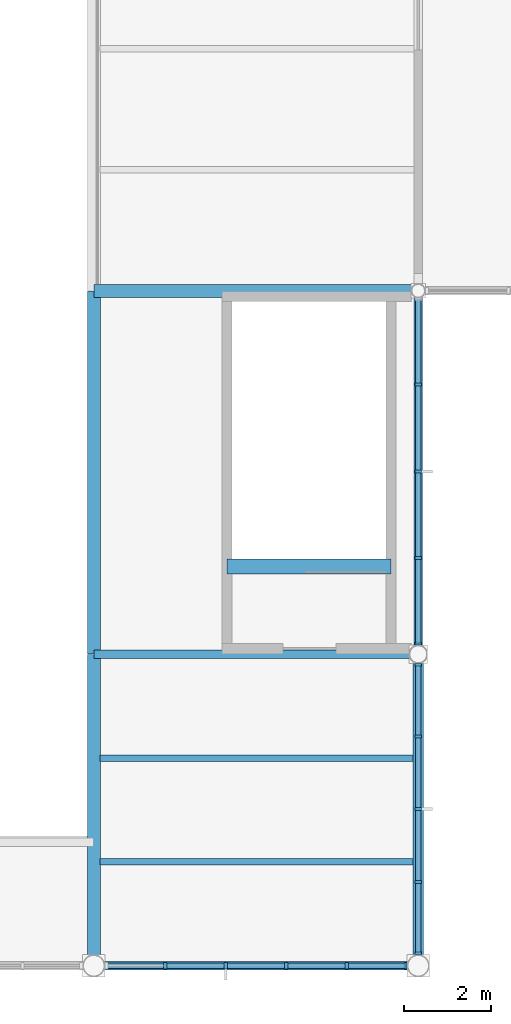
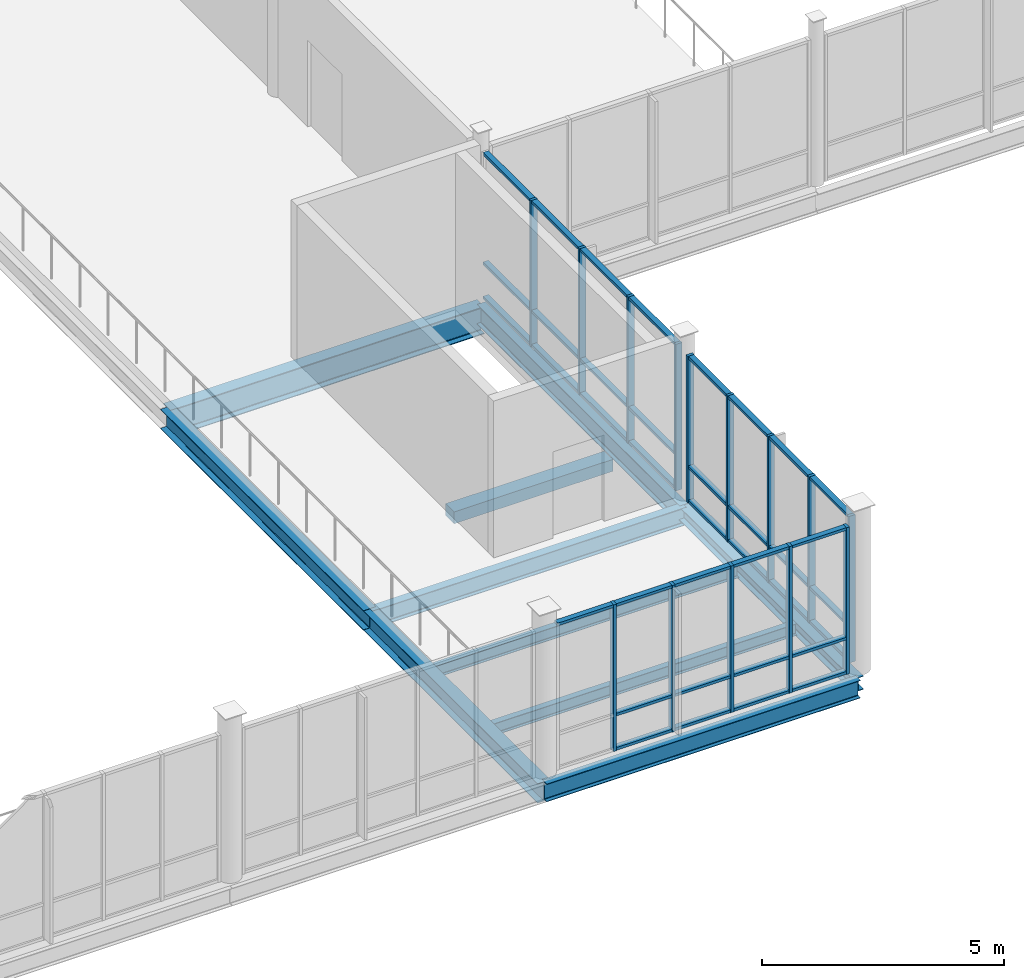
# One storey, part 21 of 75: 51 members, 10 beams, 3 elements without a shape of their own.
"""IFC4 building model written with IfcOpenShell, lengths in metres."""

import ifcopenshell
import ifcopenshell.guid

model = None  # the IFC model being written
_history = None  # IfcOwnerHistory: only IFC2X3 demands one
_inside = {}  # id of a spatial element -> (the spatial element, [elements in it])
_under = {}  # id of a project, library or spatial element -> (it, [spatial elements below it])
_declared = {}  # id of a project -> (the project, [libraries it declares])
_typed = {}  # id of a type object -> (the type object, [elements of that type])
_made_of = {}  # id of a material, layer set ... -> (it, [elements and type objects made of it])


def new_model(schema):
    """Start an empty IFC model of exactly this schema.

    Asked for "IFC4X3", IfcOpenShell would pick the latest addendum, in which some entities
    have other attributes; the version numbers below select the first issue.
    IFC2X3 requires an IfcOwnerHistory on every rooted entity: one is made here for all.
    """
    global model, _history
    if schema == "IFC4X3":
        model = ifcopenshell.file(schema_version=(4, 3, 0, 0))
    else:
        model = ifcopenshell.file(schema=schema)
    _inside.clear()
    _under.clear()
    _declared.clear()
    _typed.clear()
    _made_of.clear()
    _history = None
    if model.schema == "IFC2X3":
        org = make("IfcOrganization", Name="unknown")
        user = make(
            "IfcPersonAndOrganization",
            ThePerson=make("IfcPerson", FamilyName="unknown"),
            TheOrganization=org,
        )
        app = make(
            "IfcApplication",
            ApplicationDeveloper=org,
            Version="unknown",
            ApplicationFullName="unknown",
            ApplicationIdentifier="unknown",
        )
        _history = make(
            "IfcOwnerHistory",
            OwningUser=user,
            OwningApplication=app,
            ChangeAction="ADDED",
            CreationDate=0,
        )
    return model


def make(cls, **values):
    """One entity of the class cls with the attributes given. An attribute that is None is left unset."""
    return model.create_entity(
        cls, **{name: value for name, value in values.items() if value is not None}
    )


def rooted(cls, **values):
    """An entity with a GlobalId (a new one), such as an element, a storey or a relation."""
    return make(cls, GlobalId=ifcopenshell.guid.new(), OwnerHistory=_history, **values)


def si_unit(unit_type, name, prefix=None):
    """IfcSIUnit, for example si_unit("LENGTHUNIT", "METRE", prefix="MILLI")."""
    return make("IfcSIUnit", UnitType=unit_type, Prefix=prefix, Name=name)


def assignment(units):
    """IfcUnitAssignment: the units of a project."""
    return None if units is None else make("IfcUnitAssignment", Units=units)


def point(xyz):
    """IfcCartesianPoint."""
    return None if xyz is None else make("IfcCartesianPoint", Coordinates=xyz)


def direction(xyz):
    """IfcDirection."""
    return None if xyz is None else make("IfcDirection", DirectionRatios=xyz)


def frame(location, z_axis=None, x_axis=None):
    """IfcAxis2Placement3D, a coordinate frame: its origin and axes. An axis left out is left unset."""
    return make(
        "IfcAxis2Placement3D",
        Location=point(location),
        Axis=direction(z_axis),
        RefDirection=direction(x_axis),
    )


def frame_2d(location, x_axis=None):
    """IfcAxis2Placement2D, a coordinate frame in the plane: its origin and x axis."""
    return make(
        "IfcAxis2Placement2D", Location=point(location), RefDirection=direction(x_axis)
    )


def origin():
    """The frame at (0, 0, 0) with its axes left unset."""
    return frame((0.0, 0.0, 0.0))


def origin_2d():
    """The frame at (0, 0) in the plane with its x axis left unset."""
    return frame_2d((0.0, 0.0))


def place(relative_to, where):
    """IfcLocalPlacement: puts the frame where relative to a parent placement (None: the world)."""
    return make(
        "IfcLocalPlacement", PlacementRelTo=relative_to, RelativePlacement=where
    )


def context(
    kind, dimensions, precision=None, world=None, true_north=None, identifier=None
):
    """IfcGeometricRepresentationContext, for example the 3D "Model" context."""
    return make(
        "IfcGeometricRepresentationContext",
        ContextIdentifier=identifier,
        ContextType=kind,
        CoordinateSpaceDimension=dimensions,
        Precision=precision,
        WorldCoordinateSystem=world,
        TrueNorth=true_north,
    )


def subcontext(parent, identifier, kind, view, scale=None):
    """IfcGeometricRepresentationSubContext, for example "Body" below "Model"."""
    return make(
        "IfcGeometricRepresentationSubContext",
        ContextIdentifier=identifier,
        ContextType=kind,
        ParentContext=parent,
        TargetScale=scale,
        TargetView=view,
    )


def project(units=None, contexts=None):
    """IfcProject with its units and contexts."""
    return rooted(
        "IfcProject",
        Name="project",
        RepresentationContexts=contexts,
        UnitsInContext=assignment(units),
    )


def spatial(cls, under=None, at=None, **own):
    """A site, building, storey or space (cls), placed at a placement, below another one or the project."""
    s = rooted(cls, ObjectPlacement=at, **own)
    if under is not None:
        _under.setdefault(under.id(), (under, []))[1].append(s)
    return s


def profile(cls, at=None, kind="AREA", **sizes):
    """A parametric profile (cls). Its sizes go by their IFC names, for example OverallWidth=200.0."""
    return make(cls, ProfileType=kind, Position=at, **sizes)


def rectangle(**sizes):
    """IfcRectangleProfileDef."""
    return profile("IfcRectangleProfileDef", **sizes)


def i_section(**sizes):
    """IfcIShapeProfileDef."""
    return profile("IfcIShapeProfileDef", **sizes)


def extrude(swept, where, along, depth):
    """IfcExtrudedAreaSolid: the profile swept, set in the frame where, extruded along a direction by depth."""
    return make(
        "IfcExtrudedAreaSolid",
        SweptArea=swept,
        Position=where,
        ExtrudedDirection=direction(along),
        Depth=depth,
    )


def shape(context_of_items, identifier, shape_type, items):
    """IfcShapeRepresentation: the items that make up one representation, for example the "Body"."""
    return make(
        "IfcShapeRepresentation",
        ContextOfItems=context_of_items,
        RepresentationIdentifier=identifier,
        RepresentationType=shape_type,
        Items=items,
    )


def material(Name=None, Category=None):
    """IfcMaterial."""
    return make("IfcMaterial", Name=Name, Category=Category)


def layer(
    of_material, thickness, ventilated=None, Name=None, Category=None, Priority=None
):
    """IfcMaterialLayer: one layer of a wall or slab, of a material (None: an air gap)."""
    return make(
        "IfcMaterialLayer",
        Material=of_material,
        LayerThickness=thickness,
        IsVentilated=ventilated,
        Name=Name,
        Category=Category,
        Priority=Priority,
    )


def layer_set(layers, Name=None):
    """IfcMaterialLayerSet."""
    return make("IfcMaterialLayerSet", MaterialLayers=layers, LayerSetName=Name)


def material_profile(
    of_material, cross_section, Name=None, Category=None, Priority=None
):
    """IfcMaterialProfile: a cross section and its material."""
    return make(
        "IfcMaterialProfile",
        Name=Name,
        Material=of_material,
        Profile=cross_section,
        Priority=Priority,
        Category=Category,
    )


def profile_set(profiles, Name=None, composite=None):
    """IfcMaterialProfileSet."""
    return make(
        "IfcMaterialProfileSet",
        Name=Name,
        MaterialProfiles=profiles,
        CompositeProfile=composite,
    )


def made_of(thing, what):
    """Note that an element or type object is made of a material, layer set ...; save() writes the relation."""
    if what is not None:
        _made_of.setdefault(what.id(), (what, []))[1].append(thing)
    return thing


def type_object(cls, material=None, **own):
    """A type object (cls), such as IfcWallType, which elements share."""
    return made_of(rooted(cls, **own), material)


def element(
    cls,
    number,
    at=None,
    inside=None,
    cuts=None,
    type_object=None,
    material=None,
    context=None,
    identifier="Body",
    shape_type=None,
    held_by="IfcProductDefinitionShape",
    body=None,
    shapes=None,
    **own,
):
    """One element of the class cls, such as IfcWall. Its Tag is "e" and its number.

    at: its placement. inside: the storey or other place that contains it. cuts: it is an
    opening in that element (IfcRelVoidsElement). A single representation is given by context,
    identifier, shape_type and body (its items); several are given by shapes. held_by: the class
    of the entity that holds the representations. save() writes the other relations.
    """
    e = rooted(cls, Tag="e%d" % number, ObjectPlacement=at, **own)
    if body is not None:
        shapes = [shape(context, identifier, shape_type, body)]
    if shapes is not None:
        e.Representation = make(held_by, Representations=shapes)
    if inside is not None:
        _inside.setdefault(inside.id(), (inside, []))[1].append(e)
    if cuts is not None:
        rooted(
            "IfcRelVoidsElement", RelatingBuildingElement=cuts, RelatedOpeningElement=e
        )
    if type_object is not None:
        _typed.setdefault(type_object.id(), (type_object, []))[1].append(e)
    return made_of(e, material)


def aggregate(whole, parts):
    """IfcRelAggregates: a whole, such as a stair, and the parts it consists of."""
    return rooted("IfcRelAggregates", RelatingObject=whole, RelatedObjects=parts)


def save(model, path):
    """Write the relations noted so far, then the file.

    IfcRelAggregates (storeys below a building ...), IfcRelContainedInSpatialStructure (elements
    in a storey), IfcRelDefinesByType, IfcRelAssociatesMaterial and IfcRelDeclares: one each for
    every whole, place, type object, material and project.
    """
    for whole, parts in _under.values():
        aggregate(whole, parts)
    for where, things in _inside.values():
        rooted(
            "IfcRelContainedInSpatialStructure",
            RelatedElements=things,
            RelatingStructure=where,
        )
    for kind, things in _typed.values():
        rooted("IfcRelDefinesByType", RelatedObjects=things, RelatingType=kind)
    for what, things in _made_of.values():
        rooted("IfcRelAssociatesMaterial", RelatedObjects=things, RelatingMaterial=what)
    for by, libraries in _declared.values():
        rooted("IfcRelDeclares", RelatingContext=by, RelatedDefinitions=libraries)
    model.write(path)


model = new_model("IFC4")

# Units and contexts
model_context = context("Model", 3, precision=1e-05, world=origin(), true_north=direction((0.0, 1.0)))
body_context = subcontext(model_context, "Body", "Model", "MODEL_VIEW")
ifc_project = project(units=[si_unit("LENGTHUNIT", "METRE"), si_unit("AREAUNIT", "SQUARE_METRE"), si_unit("VOLUMEUNIT", "CUBIC_METRE"), si_unit("PLANEANGLEUNIT", "RADIAN"), si_unit("MASSUNIT", "GRAM", prefix="KILO")], contexts=[model_context])

# Site, building, storey
site_placement = place(None, origin())
site = spatial("IfcSite", under=ifc_project, at=site_placement, CompositionType="ELEMENT")
building_placement = place(site_placement, origin())
building = spatial("IfcBuilding", under=site, at=building_placement, Name="Yukiwa Park Conservatory and Herbarium", CompositionType="ELEMENT")
storey_placement = place(building_placement, frame((0.0, 0.0, 4.800048828125)))
storey = spatial("IfcBuildingStorey", under=building, at=storey_placement, Name="L01", CompositionType="ELEMENT", Elevation=4.800048828125)

# Beams
ifc_material_1 = material(Name="Steel Q355D", Category="steel")
ifc_material_profile_1 = material_profile(ifc_material_1, i_section(OverallWidth=0.25, OverallDepth=0.340087890625, WebThickness=0.009033203125, FlangeThickness=0.013916015625, FilletRadius=0.02001953125, at=origin_2d()), Name="HM 340x250x9x14")
ifc_profile_set_1 = profile_set([ifc_material_profile_1], Name="Steel Q355D")
beam_type_1 = type_object("IfcBeamType", Name="BM-GRD-HM340", PredefinedType="BEAM", material=ifc_profile_set_1)
beam_1_placement = place(storey_placement, frame((60.0, 0.006103515625, -0.41015625), z_axis=(0.0, 1.0, 0.0), x_axis=(-1.0, 0.0, 0.0)))
element("IfcBeam", 1, at=beam_1_placement, inside=storey, type_object=beam_type_1, Name="L01 grid girder Y-115", PredefinedType="BEAM", context=body_context, shape_type="SweptSolid", body=[
    extrude(i_section(OverallWidth=0.25, OverallDepth=0.340087890625, WebThickness=0.009033203125, FlangeThickness=0.013916015625, FilletRadius=0.02001953125, at=origin_2d()), origin(), (0.0, 0.0, 1.0), 7.18798828125),
])
ifc_material_2 = material(Name="Steel Q355D", Category="steel")
ifc_material_profile_2 = material_profile(ifc_material_2, i_section(OverallWidth=0.199951171875, OverallDepth=0.449951171875, WebThickness=0.009033203125, FlangeThickness=0.013916015625, FilletRadius=0.01806640625, at=origin_2d()), Name="HN 450x200x9x14")
ifc_profile_set_2 = profile_set([ifc_material_profile_2], Name="Steel Q355D")
beam_type_2 = type_object("IfcBeamType", Name="BM-GRD-HN450", PredefinedType="BEAM", material=ifc_profile_set_2)
for number, where, z_axis, x_axis, name in (
    (2, (52.506103515625, 0.0, -0.465087890625), (1.0, 0.0, 0.0), (0.0, 1.0, 0.0), "L01 grid beam X-8"),
    (3, (52.506103515625, 7.199951171875, -0.465087890625), (1.0, 0.0, 0.0), (0.0, 1.0, 0.0), "L01 grid beam X-9"),
):
    element("IfcBeam", number, at=place(storey_placement, frame(where, z_axis=z_axis, x_axis=x_axis)), inside=storey, type_object=beam_type_2, Name=name, PredefinedType="BEAM", context=body_context, shape_type="SweptSolid", body=[
        extrude(i_section(OverallWidth=0.199951171875, OverallDepth=0.449951171875, WebThickness=0.009033203125, FlangeThickness=0.013916015625, FilletRadius=0.01806640625, at=origin_2d()), origin(), (0.0, 0.0, 1.0), 7.48779296875),
    ])
ifc_material_3 = material(Name="Steel Q355D", Category="steel")
ifc_material_profile_3 = material_profile(ifc_material_3, i_section(OverallWidth=0.199951171875, OverallDepth=0.5, WebThickness=0.010009765625, FlangeThickness=0.01611328125, FilletRadius=0.02001953125, at=origin_2d()), Name="HN 500x200x10x16")
ifc_profile_set_3 = profile_set([ifc_material_profile_3], Name="Steel Q355D")
beam_type_3 = type_object("IfcBeamType", Name="BM-GRD-HN500", PredefinedType="BEAM", material=ifc_profile_set_3)
beam_2_placement = place(storey_placement, frame((60.0, 7.2060546875, -0.489990234375), z_axis=(0.0, 1.0, 0.0), x_axis=(-1.0, 0.0, 0.0)))
element("IfcBeam", 4, at=beam_2_placement, inside=storey, type_object=beam_type_3, Name="L01 grid girder Y-116", PredefinedType="BEAM", context=body_context, shape_type="SweptSolid", body=[
    extrude(i_section(OverallWidth=0.199951171875, OverallDepth=0.5, WebThickness=0.010009765625, FlangeThickness=0.01611328125, FilletRadius=0.02001953125, at=origin_2d()), origin(), (0.0, 0.0, 1.0), 8.387939453125),
])
ifc_material_4 = material(Name="Steel Q355D", Category="steel")
ifc_material_profile_4 = material_profile(ifc_material_4, i_section(OverallWidth=0.14990234375, OverallDepth=0.300048828125, WebThickness=0.006591796875, FlangeThickness=0.009033203125, FilletRadius=0.012939453125, at=origin_2d()), Name="HN 300x150x6.5x9")
ifc_profile_set_4 = profile_set([ifc_material_profile_4], Name="Steel Q355D")
beam_type_4 = type_object("IfcBeamType", Name="BM-JST-HN300", PredefinedType="JOIST", material=ifc_profile_set_4)
for number, where, z_axis, x_axis, name in (
    (5, (52.64599609375, 2.39990234375, -0.39013671875), (1.0, 0.0, 0.0), (0.0, 1.0, 0.0), "L01 composite floor joist 1"),
    (6, (52.64599609375, 4.800048828125, -0.39013671875), (1.0, 0.0, 0.0), (0.0, 1.0, 0.0), "L01 composite floor joist 2"),
):
    element("IfcBeam", number, at=place(storey_placement, frame(where, z_axis=z_axis, x_axis=x_axis)), inside=storey, type_object=beam_type_4, Name=name, PredefinedType="JOIST", context=body_context, shape_type="SweptSolid", body=[
        extrude(i_section(OverallWidth=0.14990234375, OverallDepth=0.300048828125, WebThickness=0.006591796875, FlangeThickness=0.009033203125, FilletRadius=0.012939453125, at=origin_2d()), origin(), (0.0, 0.0, 1.0), 7.23291015625),
    ])
ifc_material_5 = material(Name="Steel Q355D", Category="steel")
ifc_material_profile_5 = material_profile(ifc_material_5, i_section(OverallWidth=0.300048828125, OverallDepth=0.493896484375, WebThickness=0.010986328125, FlangeThickness=0.014892578125, FilletRadius=0.02392578125, at=origin_2d()), Name="HM 494x300x11x15")
ifc_profile_set_5 = profile_set([ifc_material_profile_5], Name="Steel Q355D")
beam_type_5 = type_object("IfcBeamType", Name="BM-SPN-HN450", PredefinedType="SPANDREL", material=ifc_profile_set_5)
beam_3_placement = place(storey_placement, frame((52.5, 0.006103515625, -0.487060546875), z_axis=(0.0, 1.0, 0.0), x_axis=(-1.0, 0.0, 0.0)))
element("IfcBeam", 7, at=beam_3_placement, inside=storey, type_object=beam_type_5, Name="L01 spandrel girder Y-111", PredefinedType="SPANDREL", context=body_context, shape_type="SweptSolid", body=[
    extrude(i_section(OverallWidth=0.300048828125, OverallDepth=0.493896484375, WebThickness=0.010986328125, FlangeThickness=0.014892578125, FilletRadius=0.02392578125, at=origin_2d()), origin(), (0.0, 0.0, 1.0), 7.18798828125),
])
ifc_material_6 = material(Name="Steel Q355D", Category="steel")
ifc_material_profile_6 = material_profile(ifc_material_6, i_section(OverallWidth=0.300048828125, OverallDepth=0.5, WebThickness=0.010986328125, FlangeThickness=0.01806640625, FilletRadius=0.02392578125, at=origin_2d()), Name="HM 500x300x11x18")
ifc_profile_set_6 = profile_set([ifc_material_profile_6], Name="Steel Q355D")
beam_type_6 = type_object("IfcBeamType", Name="BM-SPN-HN500", PredefinedType="SPANDREL", material=ifc_profile_set_6)
beam_4_placement = place(storey_placement, frame((52.5, 7.2060546875, -0.489990234375), z_axis=(0.0, 1.0, 0.0), x_axis=(-1.0, 0.0, 0.0)))
element("IfcBeam", 8, at=beam_4_placement, inside=storey, type_object=beam_type_6, Name="L01 spandrel girder Y-112", PredefinedType="SPANDREL", context=body_context, shape_type="SweptSolid", body=[
    extrude(i_section(OverallWidth=0.300048828125, OverallDepth=0.5, WebThickness=0.010986328125, FlangeThickness=0.01806640625, FilletRadius=0.02392578125, at=origin_2d()), origin(), (0.0, 0.0, 1.0), 8.387939453125),
])
ifc_material_7 = material(Name="Steel Q355D", Category="steel")
ifc_material_profile_7 = material_profile(ifc_material_7, i_section(OverallWidth=0.300048828125, OverallDepth=0.69189453125, WebThickness=0.012939453125, FlangeThickness=0.02001953125, FilletRadius=0.028076171875, at=origin_2d()), Name="HN 692x300x13x20")
ifc_profile_set_7 = profile_set([ifc_material_profile_7], Name="Steel Q355D")
beam_type_7 = type_object("IfcBeamType", Name="BM-SPN-HN550", PredefinedType="SPANDREL", material=ifc_profile_set_7)
beam_5_placement = place(storey_placement, frame((52.506103515625, 15.60009765625, -0.5859375), z_axis=(1.0, 0.0, 0.0), x_axis=(0.0, 1.0, 0.0)))
element("IfcBeam", 9, at=beam_5_placement, inside=storey, type_object=beam_type_7, Name="L01 spandrel beam X-10", PredefinedType="SPANDREL", context=body_context, shape_type="SweptSolid", body=[
    extrude(i_section(OverallWidth=0.300048828125, OverallDepth=0.69189453125, WebThickness=0.012939453125, FlangeThickness=0.02001953125, FilletRadius=0.028076171875, at=origin_2d()), origin(), (0.0, 0.0, 1.0), 7.48779296875),
])
ifc_material_8 = material(Name="Concrete C40", Category="concrete")
ifc_material_profile_8 = material_profile(ifc_material_8, rectangle(XDim=0.35009765625, YDim=0.300048828125, at=origin_2d()), Name="RC 350x300")
ifc_profile_set_8 = profile_set([ifc_material_profile_8], Name="Concrete C40")
beam_type_8 = type_object("IfcBeamType", Name="BM-STAIR-TRIM", PredefinedType="BEAM", material=ifc_profile_set_8)
beam_6_placement = place(storey_placement, frame((55.580078125, 9.22998046875, -0.150146484375), z_axis=(1.0, 0.0, 0.0), x_axis=(0.0, 1.0, 0.0)))
element("IfcBeam", 10, at=beam_6_placement, inside=storey, type_object=beam_type_8, Name="Stair ST-C2 L01 landing trimmer beam", PredefinedType="BEAM", context=body_context, shape_type="SweptSolid", body=[
    extrude(rectangle(XDim=0.35009765625, YDim=0.300048828125, at=origin_2d()), origin(), (0.0, 0.0, 1.0), 3.7900390625),
])

# Curtain wall, members
ifc_material_9 = material(Name="Triple Low-E Insulated Glass", Category="glass")
ifc_layer_1 = layer(ifc_material_9, 0.152099609375)
ifc_layer_set_1 = layer_set([ifc_layer_1], Name="Triple Low-E Insulated Glass")
curtain_wall_type_1 = type_object("IfcCurtainWallType", Name="CW-CONSERVATORY-1500", PredefinedType="NOTDEFINED", material=ifc_layer_set_1)
curtain_wall_1_placement = place(storey_placement, origin())
curtain_wall_1 = element("IfcCurtainWall", 11, at=curtain_wall_1_placement, inside=storey, type_object=curtain_wall_type_1, Name="L01 unitised curtain wall CW-L01-033", PredefinedType="NOTDEFINED")
ifc_material_10 = material(Name="Anodised Aluminium", Category="aluminium")
member_type_1 = type_object("IfcMemberType", Name="MB-CW-MUL-70X150", PredefinedType="MULLION", material=ifc_material_10)
member_1_placement = place(storey_placement, frame((54.15234375, 0.0, 0.0), z_axis=(0.0, 0.0, 1.0), x_axis=(1.0, 0.0, 0.0)))
member_1 = element("IfcMember", 12, at=member_1_placement, type_object=member_type_1, Name="CW-L01-033 mullion 2", PredefinedType="MULLION", context=body_context, shape_type="SweptSolid", body=[
    extrude(rectangle(XDim=0.070068359375, YDim=0.14990234375, at=origin_2d()), origin(), (0.0, 0.0, 1.0), 3.699951171875),
])
member_2_placement = place(storey_placement, frame((55.55078125, 0.0, 0.0), z_axis=(0.0, 0.0, 1.0), x_axis=(1.0, 0.0, 0.0)))
member_2 = element("IfcMember", 13, at=member_2_placement, type_object=member_type_1, Name="CW-L01-033 mullion 3", PredefinedType="MULLION", context=body_context, shape_type="SweptSolid", body=[
    extrude(rectangle(XDim=0.070068359375, YDim=0.14990234375, at=origin_2d()), origin(), (0.0, 0.0, 1.0), 3.699951171875),
])
member_3_placement = place(storey_placement, frame((56.94921875, 0.0, 0.0), z_axis=(0.0, 0.0, 1.0), x_axis=(1.0, 0.0, 0.0)))
member_3 = element("IfcMember", 14, at=member_3_placement, type_object=member_type_1, Name="CW-L01-033 mullion 4", PredefinedType="MULLION", context=body_context, shape_type="SweptSolid", body=[
    extrude(rectangle(XDim=0.070068359375, YDim=0.14990234375, at=origin_2d()), origin(), (0.0, 0.0, 1.0), 3.699951171875),
])
member_4_placement = place(storey_placement, frame((58.34765625, 0.0, 0.0), z_axis=(0.0, 0.0, 1.0), x_axis=(1.0, 0.0, 0.0)))
member_4 = element("IfcMember", 15, at=member_4_placement, type_object=member_type_1, Name="CW-L01-033 mullion 5", PredefinedType="MULLION", context=body_context, shape_type="SweptSolid", body=[
    extrude(rectangle(XDim=0.070068359375, YDim=0.14990234375, at=origin_2d()), origin(), (0.0, 0.0, 1.0), 3.699951171875),
])
member_5_placement = place(storey_placement, frame((59.7109375, 0.0, 0.0), z_axis=(0.0, 0.0, 1.0), x_axis=(1.0, 0.0, 0.0)))
member_5 = element("IfcMember", 16, at=member_5_placement, type_object=member_type_1, Name="CW-L01-033 mullion 6", PredefinedType="MULLION", context=body_context, shape_type="SweptSolid", body=[
    extrude(rectangle(XDim=0.070068359375, YDim=0.14990234375, at=origin_2d()), origin(), (0.0, 0.0, 1.0), 3.699951171875),
])

ifc_material_11 = material(Name="Triple Low-E Insulated Glass", Category="glass")
ifc_layer_2 = layer(ifc_material_11, 0.1640625)
ifc_layer_set_2 = layer_set([ifc_layer_2], Name="Triple Low-E Insulated Glass")
curtain_wall_type_2 = type_object("IfcCurtainWallType", Name="CW-CONSERVATORY-1875", PredefinedType="NOTDEFINED", material=ifc_layer_set_2)
curtain_wall_2_placement = place(storey_placement, origin())
curtain_wall_2 = element("IfcCurtainWall", 17, at=curtain_wall_2_placement, inside=storey, type_object=curtain_wall_type_2, Name="L01 unitised curtain wall CW-L01-034", PredefinedType="NOTDEFINED")
member_6_placement = place(storey_placement, frame((60.0, 0.2890625, 0.0), z_axis=(0.0, 0.0, 1.0), x_axis=(0.0, 1.0, 0.0)))
member_6 = element("IfcMember", 18, at=member_6_placement, type_object=member_type_1, Name="CW-L01-034 mullion 1", PredefinedType="MULLION", context=body_context, shape_type="SweptSolid", body=[
    extrude(rectangle(XDim=0.070068359375, YDim=0.14990234375, at=origin_2d()), origin(), (0.0, 0.0, 1.0), 3.699951171875),
])
member_7_placement = place(storey_placement, frame((60.0, 1.937255859375, 0.0), z_axis=(0.0, 0.0, 1.0), x_axis=(0.0, 1.0, 0.0)))
member_7 = element("IfcMember", 19, at=member_7_placement, type_object=member_type_1, Name="CW-L01-034 mullion 2", PredefinedType="MULLION", context=body_context, shape_type="SweptSolid", body=[
    extrude(rectangle(XDim=0.070068359375, YDim=0.14990234375, at=origin_2d()), origin(), (0.0, 0.0, 1.0), 3.699951171875),
])
member_8_placement = place(storey_placement, frame((60.0, 3.62060546875, 0.0), z_axis=(0.0, 0.0, 1.0), x_axis=(0.0, 1.0, 0.0)))
member_8 = element("IfcMember", 20, at=member_8_placement, type_object=member_type_1, Name="CW-L01-034 mullion 3", PredefinedType="MULLION", context=body_context, shape_type="SweptSolid", body=[
    extrude(rectangle(XDim=0.070068359375, YDim=0.14990234375, at=origin_2d()), origin(), (0.0, 0.0, 1.0), 3.699951171875),
])
member_9_placement = place(storey_placement, frame((60.0, 5.3037109375, 0.0), z_axis=(0.0, 0.0, 1.0), x_axis=(0.0, 1.0, 0.0)))
member_9 = element("IfcMember", 21, at=member_9_placement, type_object=member_type_1, Name="CW-L01-034 mullion 4", PredefinedType="MULLION", context=body_context, shape_type="SweptSolid", body=[
    extrude(rectangle(XDim=0.070068359375, YDim=0.14990234375, at=origin_2d()), origin(), (0.0, 0.0, 1.0), 3.699951171875),
])
member_10_placement = place(storey_placement, frame((60.0, 6.951904296875, 0.0), z_axis=(0.0, 0.0, 1.0), x_axis=(0.0, 1.0, 0.0)))
member_10 = element("IfcMember", 22, at=member_10_placement, type_object=member_type_1, Name="CW-L01-034 mullion 5", PredefinedType="MULLION", context=body_context, shape_type="SweptSolid", body=[
    extrude(rectangle(XDim=0.070068359375, YDim=0.14990234375, at=origin_2d()), origin(), (0.0, 0.0, 1.0), 3.699951171875),
])

curtain_wall_3_placement = place(storey_placement, origin())
curtain_wall_3 = element("IfcCurtainWall", 23, at=curtain_wall_3_placement, inside=storey, type_object=curtain_wall_type_2, Name="L01 unitised curtain wall CW-L01-035", PredefinedType="NOTDEFINED")
member_11_placement = place(storey_placement, frame((60.0, 7.447998046875, 0.0), z_axis=(0.0, 0.0, 1.0), x_axis=(0.0, 1.0, 0.0)))
member_11 = element("IfcMember", 24, at=member_11_placement, type_object=member_type_1, Name="CW-L01-035 mullion 1", PredefinedType="MULLION", context=body_context, shape_type="SweptSolid", body=[
    extrude(rectangle(XDim=0.070068359375, YDim=0.14990234375, at=origin_2d()), origin(), (0.0, 0.0, 1.0), 3.699951171875),
])
member_12_placement = place(storey_placement, frame((60.0, 9.419189453125, 0.0), z_axis=(0.0, 0.0, 1.0), x_axis=(0.0, 1.0, 0.0)))
member_12 = element("IfcMember", 25, at=member_12_placement, type_object=member_type_1, Name="CW-L01-035 mullion 2", PredefinedType="MULLION", context=body_context, shape_type="SweptSolid", body=[
    extrude(rectangle(XDim=0.070068359375, YDim=0.14990234375, at=origin_2d()), origin(), (0.0, 0.0, 1.0), 3.699951171875),
])
member_13_placement = place(storey_placement, frame((60.0, 11.42529296875, 0.0), z_axis=(0.0, 0.0, 1.0), x_axis=(0.0, 1.0, 0.0)))
member_13 = element("IfcMember", 26, at=member_13_placement, type_object=member_type_1, Name="CW-L01-035 mullion 3", PredefinedType="MULLION", context=body_context, shape_type="SweptSolid", body=[
    extrude(rectangle(XDim=0.070068359375, YDim=0.14990234375, at=origin_2d()), origin(), (0.0, 0.0, 1.0), 3.699951171875),
])
member_14_placement = place(storey_placement, frame((60.0, 13.431396484375, 0.0), z_axis=(0.0, 0.0, 1.0), x_axis=(0.0, 1.0, 0.0)))
member_14 = element("IfcMember", 27, at=member_14_placement, type_object=member_type_1, Name="CW-L01-035 mullion 4", PredefinedType="MULLION", context=body_context, shape_type="SweptSolid", body=[
    extrude(rectangle(XDim=0.070068359375, YDim=0.14990234375, at=origin_2d()), origin(), (0.0, 0.0, 1.0), 3.699951171875),
])

# Member
ifc_material_12 = material(Name="Anodised Aluminium", Category="aluminium")
member_type_2 = type_object("IfcMemberType", Name="MB-CW-TRN-70X130", PredefinedType="USERDEFINED", material=ifc_material_12)
member_15_placement = place(storey_placement, frame((53.453125, 0.0, 3.6298828125), z_axis=(0.0, 0.0, 1.0), x_axis=(1.0, 0.0, 0.0)))
member_15 = element("IfcMember", 28, at=member_15_placement, type_object=member_type_2, Name="CW-L01-033 transom 1.3", ObjectType="TRANSOM", PredefinedType="USERDEFINED", context=body_context, shape_type="SweptSolid", body=[
    extrude(rectangle(XDim=1.328369140625, YDim=0.1298828125, at=origin_2d()), origin(), (0.0, 0.0, 1.0), 0.070068359375),
])

member_16_placement = place(storey_placement, frame((54.8515625, 0.0, 0.0), z_axis=(0.0, 0.0, 1.0), x_axis=(1.0, 0.0, 0.0)))
member_16 = element("IfcMember", 29, at=member_16_placement, type_object=member_type_2, Name="CW-L01-033 transom 2.1", ObjectType="TRANSOM", PredefinedType="USERDEFINED", context=body_context, shape_type="SweptSolid", body=[
    extrude(rectangle(XDim=1.328369140625, YDim=0.1298828125, at=origin_2d()), origin(), (0.0, 0.0, 1.0), 0.070068359375),
])

member_17_placement = place(storey_placement, frame((54.8515625, 0.0, 0.86474609375), z_axis=(0.0, 0.0, 1.0), x_axis=(1.0, 0.0, 0.0)))
member_17 = element("IfcMember", 30, at=member_17_placement, type_object=member_type_2, Name="CW-L01-033 transom 2.2", ObjectType="TRANSOM", PredefinedType="USERDEFINED", context=body_context, shape_type="SweptSolid", body=[
    extrude(rectangle(XDim=1.328369140625, YDim=0.1298828125, at=origin_2d()), origin(), (0.0, 0.0, 1.0), 0.070068359375),
])

member_18_placement = place(storey_placement, frame((54.8515625, 0.0, 3.6298828125), z_axis=(0.0, 0.0, 1.0), x_axis=(1.0, 0.0, 0.0)))
member_18 = element("IfcMember", 31, at=member_18_placement, type_object=member_type_2, Name="CW-L01-033 transom 2.3", ObjectType="TRANSOM", PredefinedType="USERDEFINED", context=body_context, shape_type="SweptSolid", body=[
    extrude(rectangle(XDim=1.328369140625, YDim=0.1298828125, at=origin_2d()), origin(), (0.0, 0.0, 1.0), 0.070068359375),
])

member_19_placement = place(storey_placement, frame((56.25, 0.0, 0.0), z_axis=(0.0, 0.0, 1.0), x_axis=(1.0, 0.0, 0.0)))
member_19 = element("IfcMember", 32, at=member_19_placement, type_object=member_type_2, Name="CW-L01-033 transom 3.1", ObjectType="TRANSOM", PredefinedType="USERDEFINED", context=body_context, shape_type="SweptSolid", body=[
    extrude(rectangle(XDim=1.328369140625, YDim=0.1298828125, at=origin_2d()), origin(), (0.0, 0.0, 1.0), 0.070068359375),
])

member_20_placement = place(storey_placement, frame((56.25, 0.0, 0.86474609375), z_axis=(0.0, 0.0, 1.0), x_axis=(1.0, 0.0, 0.0)))
member_20 = element("IfcMember", 33, at=member_20_placement, type_object=member_type_2, Name="CW-L01-033 transom 3.2", ObjectType="TRANSOM", PredefinedType="USERDEFINED", context=body_context, shape_type="SweptSolid", body=[
    extrude(rectangle(XDim=1.328369140625, YDim=0.1298828125, at=origin_2d()), origin(), (0.0, 0.0, 1.0), 0.070068359375),
])

member_21_placement = place(storey_placement, frame((56.25, 0.0, 3.6298828125), z_axis=(0.0, 0.0, 1.0), x_axis=(1.0, 0.0, 0.0)))
member_21 = element("IfcMember", 34, at=member_21_placement, type_object=member_type_2, Name="CW-L01-033 transom 3.3", ObjectType="TRANSOM", PredefinedType="USERDEFINED", context=body_context, shape_type="SweptSolid", body=[
    extrude(rectangle(XDim=1.328369140625, YDim=0.1298828125, at=origin_2d()), origin(), (0.0, 0.0, 1.0), 0.070068359375),
])

member_22_placement = place(storey_placement, frame((57.6484375, 0.0, 0.0), z_axis=(0.0, 0.0, 1.0), x_axis=(1.0, 0.0, 0.0)))
member_22 = element("IfcMember", 35, at=member_22_placement, type_object=member_type_2, Name="CW-L01-033 transom 4.1", ObjectType="TRANSOM", PredefinedType="USERDEFINED", context=body_context, shape_type="SweptSolid", body=[
    extrude(rectangle(XDim=1.328369140625, YDim=0.1298828125, at=origin_2d()), origin(), (0.0, 0.0, 1.0), 0.070068359375),
])

member_23_placement = place(storey_placement, frame((57.6484375, 0.0, 0.86474609375), z_axis=(0.0, 0.0, 1.0), x_axis=(1.0, 0.0, 0.0)))
member_23 = element("IfcMember", 36, at=member_23_placement, type_object=member_type_2, Name="CW-L01-033 transom 4.2", ObjectType="TRANSOM", PredefinedType="USERDEFINED", context=body_context, shape_type="SweptSolid", body=[
    extrude(rectangle(XDim=1.328369140625, YDim=0.1298828125, at=origin_2d()), origin(), (0.0, 0.0, 1.0), 0.070068359375),
])

member_24_placement = place(storey_placement, frame((57.6484375, 0.0, 3.6298828125), z_axis=(0.0, 0.0, 1.0), x_axis=(1.0, 0.0, 0.0)))
member_24 = element("IfcMember", 37, at=member_24_placement, type_object=member_type_2, Name="CW-L01-033 transom 4.3", ObjectType="TRANSOM", PredefinedType="USERDEFINED", context=body_context, shape_type="SweptSolid", body=[
    extrude(rectangle(XDim=1.328369140625, YDim=0.1298828125, at=origin_2d()), origin(), (0.0, 0.0, 1.0), 0.070068359375),
])

member_25_placement = place(storey_placement, frame((59.046875, 0.0, 0.0), z_axis=(0.0, 0.0, 1.0), x_axis=(1.0, 0.0, 0.0)))
member_25 = element("IfcMember", 38, at=member_25_placement, type_object=member_type_2, Name="CW-L01-033 transom 5.1", ObjectType="TRANSOM", PredefinedType="USERDEFINED", context=body_context, shape_type="SweptSolid", body=[
    extrude(rectangle(XDim=1.328369140625, YDim=0.1298828125, at=origin_2d()), origin(), (0.0, 0.0, 1.0), 0.070068359375),
])

member_26_placement = place(storey_placement, frame((59.046875, 0.0, 0.86474609375), z_axis=(0.0, 0.0, 1.0), x_axis=(1.0, 0.0, 0.0)))
member_26 = element("IfcMember", 39, at=member_26_placement, type_object=member_type_2, Name="CW-L01-033 transom 5.2", ObjectType="TRANSOM", PredefinedType="USERDEFINED", context=body_context, shape_type="SweptSolid", body=[
    extrude(rectangle(XDim=1.328369140625, YDim=0.1298828125, at=origin_2d()), origin(), (0.0, 0.0, 1.0), 0.070068359375),
])

member_27_placement = place(storey_placement, frame((59.046875, 0.0, 3.6298828125), z_axis=(0.0, 0.0, 1.0), x_axis=(1.0, 0.0, 0.0)))
member_27 = element("IfcMember", 40, at=member_27_placement, type_object=member_type_2, Name="CW-L01-033 transom 5.3", ObjectType="TRANSOM", PredefinedType="USERDEFINED", context=body_context, shape_type="SweptSolid", body=[
    extrude(rectangle(XDim=1.328369140625, YDim=0.1298828125, at=origin_2d()), origin(), (0.0, 0.0, 1.0), 0.070068359375),
])

aggregate(curtain_wall_1, [member_1, member_2, member_3, member_4, member_5, member_15, member_16, member_17, member_18, member_19, member_20, member_21, member_22, member_23, member_24, member_25, member_26, member_27])

member_28_placement = place(storey_placement, frame((60.0, 1.095703125, 0.0), z_axis=(0.0, 0.0, 1.0), x_axis=(0.0, 1.0, 0.0)))
member_28 = element("IfcMember", 41, at=member_28_placement, type_object=member_type_2, Name="CW-L01-034 transom 1.1", ObjectType="TRANSOM", PredefinedType="USERDEFINED", context=body_context, shape_type="SweptSolid", body=[
    extrude(rectangle(XDim=1.61328125, YDim=0.1298828125, at=origin_2d()), origin(), (0.0, 0.0, 1.0), 0.070068359375),
])

member_29_placement = place(storey_placement, frame((60.0, 1.095703125, 0.86474609375), z_axis=(0.0, 0.0, 1.0), x_axis=(0.0, 1.0, 0.0)))
member_29 = element("IfcMember", 42, at=member_29_placement, type_object=member_type_2, Name="CW-L01-034 transom 1.2", ObjectType="TRANSOM", PredefinedType="USERDEFINED", context=body_context, shape_type="SweptSolid", body=[
    extrude(rectangle(XDim=1.61328125, YDim=0.1298828125, at=origin_2d()), origin(), (0.0, 0.0, 1.0), 0.070068359375),
])

member_30_placement = place(storey_placement, frame((60.0, 1.095703125, 3.6298828125), z_axis=(0.0, 0.0, 1.0), x_axis=(0.0, 1.0, 0.0)))
member_30 = element("IfcMember", 43, at=member_30_placement, type_object=member_type_2, Name="CW-L01-034 transom 1.3", ObjectType="TRANSOM", PredefinedType="USERDEFINED", context=body_context, shape_type="SweptSolid", body=[
    extrude(rectangle(XDim=1.61328125, YDim=0.1298828125, at=origin_2d()), origin(), (0.0, 0.0, 1.0), 0.070068359375),
])

member_31_placement = place(storey_placement, frame((60.0, 2.77880859375, 0.0), z_axis=(0.0, 0.0, 1.0), x_axis=(0.0, 1.0, 0.0)))
member_31 = element("IfcMember", 44, at=member_31_placement, type_object=member_type_2, Name="CW-L01-034 transom 2.1", ObjectType="TRANSOM", PredefinedType="USERDEFINED", context=body_context, shape_type="SweptSolid", body=[
    extrude(rectangle(XDim=1.61328125, YDim=0.1298828125, at=origin_2d()), origin(), (0.0, 0.0, 1.0), 0.070068359375),
])

member_32_placement = place(storey_placement, frame((60.0, 2.77880859375, 0.86474609375), z_axis=(0.0, 0.0, 1.0), x_axis=(0.0, 1.0, 0.0)))
member_32 = element("IfcMember", 45, at=member_32_placement, type_object=member_type_2, Name="CW-L01-034 transom 2.2", ObjectType="TRANSOM", PredefinedType="USERDEFINED", context=body_context, shape_type="SweptSolid", body=[
    extrude(rectangle(XDim=1.61328125, YDim=0.1298828125, at=origin_2d()), origin(), (0.0, 0.0, 1.0), 0.070068359375),
])

member_33_placement = place(storey_placement, frame((60.0, 2.77880859375, 3.6298828125), z_axis=(0.0, 0.0, 1.0), x_axis=(0.0, 1.0, 0.0)))
member_33 = element("IfcMember", 46, at=member_33_placement, type_object=member_type_2, Name="CW-L01-034 transom 2.3", ObjectType="TRANSOM", PredefinedType="USERDEFINED", context=body_context, shape_type="SweptSolid", body=[
    extrude(rectangle(XDim=1.61328125, YDim=0.1298828125, at=origin_2d()), origin(), (0.0, 0.0, 1.0), 0.070068359375),
])

member_34_placement = place(storey_placement, frame((60.0, 4.462158203125, 0.0), z_axis=(0.0, 0.0, 1.0), x_axis=(0.0, 1.0, 0.0)))
member_34 = element("IfcMember", 47, at=member_34_placement, type_object=member_type_2, Name="CW-L01-034 transom 3.1", ObjectType="TRANSOM", PredefinedType="USERDEFINED", context=body_context, shape_type="SweptSolid", body=[
    extrude(rectangle(XDim=1.61328125, YDim=0.1298828125, at=origin_2d()), origin(), (0.0, 0.0, 1.0), 0.070068359375),
])

member_35_placement = place(storey_placement, frame((60.0, 4.462158203125, 0.86474609375), z_axis=(0.0, 0.0, 1.0), x_axis=(0.0, 1.0, 0.0)))
member_35 = element("IfcMember", 48, at=member_35_placement, type_object=member_type_2, Name="CW-L01-034 transom 3.2", ObjectType="TRANSOM", PredefinedType="USERDEFINED", context=body_context, shape_type="SweptSolid", body=[
    extrude(rectangle(XDim=1.61328125, YDim=0.1298828125, at=origin_2d()), origin(), (0.0, 0.0, 1.0), 0.070068359375),
])

member_36_placement = place(storey_placement, frame((60.0, 4.462158203125, 3.6298828125), z_axis=(0.0, 0.0, 1.0), x_axis=(0.0, 1.0, 0.0)))
member_36 = element("IfcMember", 49, at=member_36_placement, type_object=member_type_2, Name="CW-L01-034 transom 3.3", ObjectType="TRANSOM", PredefinedType="USERDEFINED", context=body_context, shape_type="SweptSolid", body=[
    extrude(rectangle(XDim=1.61328125, YDim=0.1298828125, at=origin_2d()), origin(), (0.0, 0.0, 1.0), 0.070068359375),
])

member_37_placement = place(storey_placement, frame((60.0, 6.1455078125, 0.0), z_axis=(0.0, 0.0, 1.0), x_axis=(0.0, 1.0, 0.0)))
member_37 = element("IfcMember", 50, at=member_37_placement, type_object=member_type_2, Name="CW-L01-034 transom 4.1", ObjectType="TRANSOM", PredefinedType="USERDEFINED", context=body_context, shape_type="SweptSolid", body=[
    extrude(rectangle(XDim=1.61328125, YDim=0.1298828125, at=origin_2d()), origin(), (0.0, 0.0, 1.0), 0.070068359375),
])

member_38_placement = place(storey_placement, frame((60.0, 6.1455078125, 0.86474609375), z_axis=(0.0, 0.0, 1.0), x_axis=(0.0, 1.0, 0.0)))
member_38 = element("IfcMember", 51, at=member_38_placement, type_object=member_type_2, Name="CW-L01-034 transom 4.2", ObjectType="TRANSOM", PredefinedType="USERDEFINED", context=body_context, shape_type="SweptSolid", body=[
    extrude(rectangle(XDim=1.61328125, YDim=0.1298828125, at=origin_2d()), origin(), (0.0, 0.0, 1.0), 0.070068359375),
])

member_39_placement = place(storey_placement, frame((60.0, 6.1455078125, 3.6298828125), z_axis=(0.0, 0.0, 1.0), x_axis=(0.0, 1.0, 0.0)))
member_39 = element("IfcMember", 52, at=member_39_placement, type_object=member_type_2, Name="CW-L01-034 transom 4.3", ObjectType="TRANSOM", PredefinedType="USERDEFINED", context=body_context, shape_type="SweptSolid", body=[
    extrude(rectangle(XDim=1.61328125, YDim=0.1298828125, at=origin_2d()), origin(), (0.0, 0.0, 1.0), 0.070068359375),
])

aggregate(curtain_wall_2, [member_6, member_7, member_8, member_9, member_10, member_28, member_29, member_30, member_31, member_32, member_33, member_34, member_35, member_36, member_37, member_38, member_39])

member_40_placement = place(storey_placement, frame((60.0, 8.416015625, 0.0), z_axis=(0.0, 0.0, 1.0), x_axis=(0.0, 1.0, 0.0)))
member_40 = element("IfcMember", 53, at=member_40_placement, type_object=member_type_2, Name="CW-L01-035 transom 1.1", ObjectType="TRANSOM", PredefinedType="USERDEFINED", context=body_context, shape_type="SweptSolid", body=[
    extrude(rectangle(XDim=1.93603515625, YDim=0.1298828125, at=origin_2d()), origin(), (0.0, 0.0, 1.0), 0.070068359375),
])

member_41_placement = place(storey_placement, frame((60.0, 8.416015625, 0.86474609375), z_axis=(0.0, 0.0, 1.0), x_axis=(0.0, 1.0, 0.0)))
member_41 = element("IfcMember", 54, at=member_41_placement, type_object=member_type_2, Name="CW-L01-035 transom 1.2", ObjectType="TRANSOM", PredefinedType="USERDEFINED", context=body_context, shape_type="SweptSolid", body=[
    extrude(rectangle(XDim=1.93603515625, YDim=0.1298828125, at=origin_2d()), origin(), (0.0, 0.0, 1.0), 0.070068359375),
])

member_42_placement = place(storey_placement, frame((60.0, 8.416015625, 3.6298828125), z_axis=(0.0, 0.0, 1.0), x_axis=(0.0, 1.0, 0.0)))
member_42 = element("IfcMember", 55, at=member_42_placement, type_object=member_type_2, Name="CW-L01-035 transom 1.3", ObjectType="TRANSOM", PredefinedType="USERDEFINED", context=body_context, shape_type="SweptSolid", body=[
    extrude(rectangle(XDim=1.93603515625, YDim=0.1298828125, at=origin_2d()), origin(), (0.0, 0.0, 1.0), 0.070068359375),
])

member_43_placement = place(storey_placement, frame((60.0, 10.422119140625, 0.0), z_axis=(0.0, 0.0, 1.0), x_axis=(0.0, 1.0, 0.0)))
member_43 = element("IfcMember", 56, at=member_43_placement, type_object=member_type_2, Name="CW-L01-035 transom 2.1", ObjectType="TRANSOM", PredefinedType="USERDEFINED", context=body_context, shape_type="SweptSolid", body=[
    extrude(rectangle(XDim=1.93603515625, YDim=0.1298828125, at=origin_2d()), origin(), (0.0, 0.0, 1.0), 0.070068359375),
])

member_44_placement = place(storey_placement, frame((60.0, 10.422119140625, 0.86474609375), z_axis=(0.0, 0.0, 1.0), x_axis=(0.0, 1.0, 0.0)))
member_44 = element("IfcMember", 57, at=member_44_placement, type_object=member_type_2, Name="CW-L01-035 transom 2.2", ObjectType="TRANSOM", PredefinedType="USERDEFINED", context=body_context, shape_type="SweptSolid", body=[
    extrude(rectangle(XDim=1.93603515625, YDim=0.1298828125, at=origin_2d()), origin(), (0.0, 0.0, 1.0), 0.070068359375),
])

member_45_placement = place(storey_placement, frame((60.0, 10.422119140625, 3.6298828125), z_axis=(0.0, 0.0, 1.0), x_axis=(0.0, 1.0, 0.0)))
member_45 = element("IfcMember", 58, at=member_45_placement, type_object=member_type_2, Name="CW-L01-035 transom 2.3", ObjectType="TRANSOM", PredefinedType="USERDEFINED", context=body_context, shape_type="SweptSolid", body=[
    extrude(rectangle(XDim=1.93603515625, YDim=0.1298828125, at=origin_2d()), origin(), (0.0, 0.0, 1.0), 0.070068359375),
])

member_46_placement = place(storey_placement, frame((60.0, 12.42822265625, 0.0), z_axis=(0.0, 0.0, 1.0), x_axis=(0.0, 1.0, 0.0)))
member_46 = element("IfcMember", 59, at=member_46_placement, type_object=member_type_2, Name="CW-L01-035 transom 3.1", ObjectType="TRANSOM", PredefinedType="USERDEFINED", context=body_context, shape_type="SweptSolid", body=[
    extrude(rectangle(XDim=1.93603515625, YDim=0.1298828125, at=origin_2d()), origin(), (0.0, 0.0, 1.0), 0.070068359375),
])

member_47_placement = place(storey_placement, frame((60.0, 12.42822265625, 0.86474609375), z_axis=(0.0, 0.0, 1.0), x_axis=(0.0, 1.0, 0.0)))
member_47 = element("IfcMember", 60, at=member_47_placement, type_object=member_type_2, Name="CW-L01-035 transom 3.2", ObjectType="TRANSOM", PredefinedType="USERDEFINED", context=body_context, shape_type="SweptSolid", body=[
    extrude(rectangle(XDim=1.93603515625, YDim=0.1298828125, at=origin_2d()), origin(), (0.0, 0.0, 1.0), 0.070068359375),
])

member_48_placement = place(storey_placement, frame((60.0, 12.42822265625, 3.6298828125), z_axis=(0.0, 0.0, 1.0), x_axis=(0.0, 1.0, 0.0)))
member_48 = element("IfcMember", 61, at=member_48_placement, type_object=member_type_2, Name="CW-L01-035 transom 3.3", ObjectType="TRANSOM", PredefinedType="USERDEFINED", context=body_context, shape_type="SweptSolid", body=[
    extrude(rectangle(XDim=1.93603515625, YDim=0.1298828125, at=origin_2d()), origin(), (0.0, 0.0, 1.0), 0.070068359375),
])

member_49_placement = place(storey_placement, frame((60.0, 14.434326171875, 0.0), z_axis=(0.0, 0.0, 1.0), x_axis=(0.0, 1.0, 0.0)))
member_49 = element("IfcMember", 62, at=member_49_placement, type_object=member_type_2, Name="CW-L01-035 transom 4.1", ObjectType="TRANSOM", PredefinedType="USERDEFINED", context=body_context, shape_type="SweptSolid", body=[
    extrude(rectangle(XDim=1.93603515625, YDim=0.1298828125, at=origin_2d()), origin(), (0.0, 0.0, 1.0), 0.070068359375),
])

member_50_placement = place(storey_placement, frame((60.0, 14.434326171875, 0.86474609375), z_axis=(0.0, 0.0, 1.0), x_axis=(0.0, 1.0, 0.0)))
member_50 = element("IfcMember", 63, at=member_50_placement, type_object=member_type_2, Name="CW-L01-035 transom 4.2", ObjectType="TRANSOM", PredefinedType="USERDEFINED", context=body_context, shape_type="SweptSolid", body=[
    extrude(rectangle(XDim=1.93603515625, YDim=0.1298828125, at=origin_2d()), origin(), (0.0, 0.0, 1.0), 0.070068359375),
])

member_51_placement = place(storey_placement, frame((60.0, 14.434326171875, 3.6298828125), z_axis=(0.0, 0.0, 1.0), x_axis=(0.0, 1.0, 0.0)))
member_51 = element("IfcMember", 64, at=member_51_placement, type_object=member_type_2, Name="CW-L01-035 transom 4.3", ObjectType="TRANSOM", PredefinedType="USERDEFINED", context=body_context, shape_type="SweptSolid", body=[
    extrude(rectangle(XDim=1.93603515625, YDim=0.1298828125, at=origin_2d()), origin(), (0.0, 0.0, 1.0), 0.070068359375),
])

aggregate(curtain_wall_3, [member_11, member_12, member_13, member_14, member_40, member_41, member_42, member_43, member_44, member_45, member_46, member_47, member_48, member_49, member_50, member_51])

save(model, "model.ifc")
